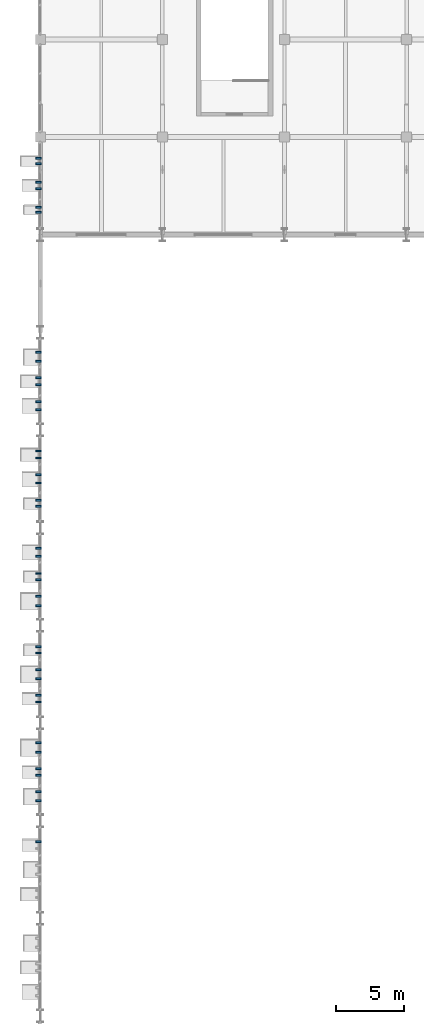
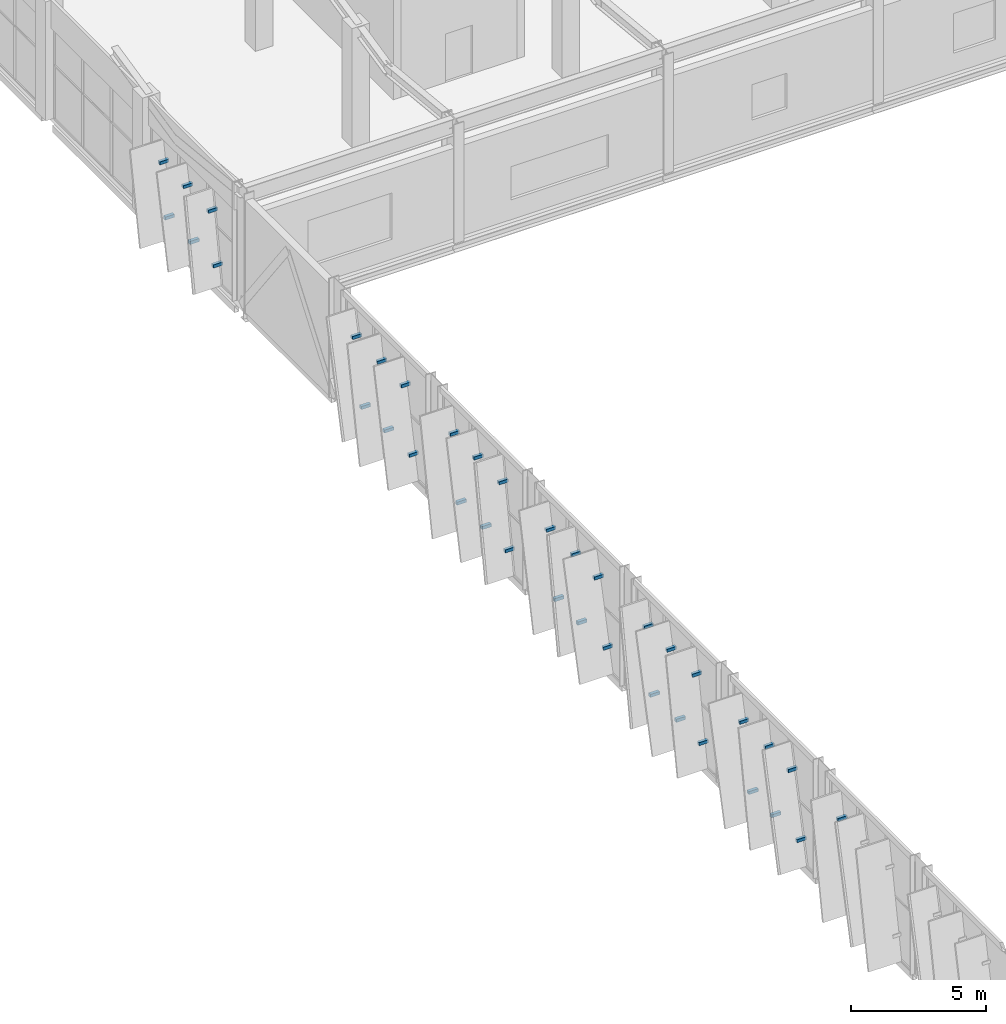
# One storey, part 149 of 189: 37 discrete accessories.
"""IFC4 building model written with IfcOpenShell, lengths in metres."""

from ifc_helpers import new_model, si_unit, direction, frame, origin, origin_2d, place, context, subcontext, project, spatial, rectangle, extrude, material, type_object, element, save


model = new_model("IFC4")

# Units and contexts
model_context = context("Model", 3, precision=1e-05, world=origin(), true_north=direction((0.0, 1.0)))
body_context = subcontext(model_context, "Body", "Model", "MODEL_VIEW")
ifc_project = project(units=[si_unit("LENGTHUNIT", "METRE"), si_unit("AREAUNIT", "SQUARE_METRE"), si_unit("VOLUMEUNIT", "CUBIC_METRE"), si_unit("PLANEANGLEUNIT", "RADIAN"), si_unit("MASSUNIT", "GRAM", prefix="KILO")], contexts=[model_context])

# Site, building, storey
site_placement = place(None, origin())
site = spatial("IfcSite", under=ifc_project, at=site_placement, CompositionType="ELEMENT")
building_placement = place(site_placement, origin())
building = spatial("IfcBuilding", under=site, at=building_placement, Name="Celestram Park Convention Centre", CompositionType="ELEMENT")
storey_placement = place(building_placement, frame((0.0, 0.0, 5.39990234375)))
storey = spatial("IfcBuildingStorey", under=building, at=storey_placement, Name="L01", CompositionType="ELEMENT", Elevation=5.39990234375)

# Discrete accessories
ifc_material = material(Name="Steel ASTM A500 Grade C", Category="steel")
discrete_accessory_type = type_object("IfcDiscreteAccessoryType", Name="ARC-BRK-OUT400", PredefinedType="BRACKET", material=ifc_material)
for number, where, z_axis, x_axis, name in (
    (1, (-0.14990234375, 109.662353515625, 0.849609375), (0.0, 0.0, 1.0), (-1.0, 0.0, 0.0), "Solar fin outrigger bracket BK-L01-0289"),
    (2, (-0.14990234375, 110.028564453125, 3.11083984375), (0.0, 0.0, 1.0), (-1.0, 0.0, 0.0), "Solar fin outrigger bracket BK-L01-0290"),
    (3, (-0.14990234375, 111.405517578125, 0.8603515625), (0.0, 0.0, 1.0), (-1.0, 0.0, 0.0), "Solar fin outrigger bracket BK-L01-0291"),
    (4, (-0.14990234375, 111.885498046875, 3.10009765625), (0.0, 0.0, 1.0), (-1.0, 0.0, 0.0), "Solar fin outrigger bracket BK-L01-0292"),
    (5, (-0.14990234375, 113.23876953125, 0.853515625), (0.0, 0.0, 1.0), (-1.0, 0.0, 0.0), "Solar fin outrigger bracket BK-L01-0293"),
    (6, (-0.14990234375, 113.652099609375, 3.1064453125), (0.0, 0.0, 1.0), (-1.0, 0.0, 0.0), "Solar fin outrigger bracket BK-L01-0294"),
    (7, (-0.14990234375, 63.24267578125, 3.884765625), (0.0, 0.0, 1.0), (-1.0, 0.0, 0.0), "Solar fin outrigger bracket BK-L01-0724"),
    (8, (-0.14990234375, 66.269775390625, 1.09375), (0.0, 0.0, 1.0), (-1.0, 0.0, 0.0), "Solar fin outrigger bracket BK-L01-0725"),
    (9, (-0.14990234375, 66.930419921875, 3.86669921875), (0.0, 0.0, 1.0), (-1.0, 0.0, 0.0), "Solar fin outrigger bracket BK-L01-0726"),
    (10, (-0.14990234375, 68.157470703125, 1.07568359375), (0.0, 0.0, 1.0), (-1.0, 0.0, 0.0), "Solar fin outrigger bracket BK-L01-0727"),
    (11, (-0.14990234375, 68.642578125, 3.884765625), (0.0, 0.0, 1.0), (-1.0, 0.0, 0.0), "Solar fin outrigger bracket BK-L01-0728"),
    (12, (-0.14990234375, 69.860107421875, 1.09619140625), (0.0, 0.0, 1.0), (-1.0, 0.0, 0.0), "Solar fin outrigger bracket BK-L01-0729"),
    (13, (-0.14990234375, 70.5400390625, 3.8642578125), (0.0, 0.0, 1.0), (-1.0, 0.0, 0.0), "Solar fin outrigger bracket BK-L01-0730"),
    (14, (-0.14990234375, 73.557373046875, 1.07568359375), (0.0, 0.0, 1.0), (-1.0, 0.0, 0.0), "Solar fin outrigger bracket BK-L01-0731"),
    (15, (-0.14990234375, 74.04248046875, 3.884765625), (0.0, 0.0, 1.0), (-1.0, 0.0, 0.0), "Solar fin outrigger bracket BK-L01-0732"),
    (16, (-0.14990234375, 75.260009765625, 1.09619140625), (0.0, 0.0, 1.0), (-1.0, 0.0, 0.0), "Solar fin outrigger bracket BK-L01-0733"),
    (17, (-0.14990234375, 75.93994140625, 3.8642578125), (0.0, 0.0, 1.0), (-1.0, 0.0, 0.0), "Solar fin outrigger bracket BK-L01-0734"),
    (18, (-0.14990234375, 77.172119140625, 1.0732421875), (0.0, 0.0, 1.0), (-1.0, 0.0, 0.0), "Solar fin outrigger bracket BK-L01-0735"),
    (19, (-0.14990234375, 77.6279296875, 3.88720703125), (0.0, 0.0, 1.0), (-1.0, 0.0, 0.0), "Solar fin outrigger bracket BK-L01-0736"),
    (20, (-0.14990234375, 80.659912109375, 1.09619140625), (0.0, 0.0, 1.0), (-1.0, 0.0, 0.0), "Solar fin outrigger bracket BK-L01-0737"),
    (21, (-0.14990234375, 81.340087890625, 3.8642578125), (0.0, 0.0, 1.0), (-1.0, 0.0, 0.0), "Solar fin outrigger bracket BK-L01-0738"),
    (22, (-0.14990234375, 82.572021484375, 1.0732421875), (0.0, 0.0, 1.0), (-1.0, 0.0, 0.0), "Solar fin outrigger bracket BK-L01-0739"),
    (23, (-0.14990234375, 83.02783203125, 3.88720703125), (0.0, 0.0, 1.0), (-1.0, 0.0, 0.0), "Solar fin outrigger bracket BK-L01-0740"),
    (24, (-0.14990234375, 84.30126953125, 1.08642578125), (0.0, 0.0, 1.0), (-1.0, 0.0, 0.0), "Solar fin outrigger bracket BK-L01-0741"),
    (25, (-0.14990234375, 84.898681640625, 3.87353515625), (0.0, 0.0, 1.0), (-1.0, 0.0, 0.0), "Solar fin outrigger bracket BK-L01-0742"),
    (26, (-0.14990234375, 87.97216796875, 1.0732421875), (0.0, 0.0, 1.0), (-1.0, 0.0, 0.0), "Solar fin outrigger bracket BK-L01-0743"),
    (27, (-0.14990234375, 88.427978515625, 3.88720703125), (0.0, 0.0, 1.0), (-1.0, 0.0, 0.0), "Solar fin outrigger bracket BK-L01-0744"),
    (28, (-0.14990234375, 89.701416015625, 1.08642578125), (0.0, 0.0, 1.0), (-1.0, 0.0, 0.0), "Solar fin outrigger bracket BK-L01-0745"),
    (29, (-0.14990234375, 90.298583984375, 3.87353515625), (0.0, 0.0, 1.0), (-1.0, 0.0, 0.0), "Solar fin outrigger bracket BK-L01-0746"),
    (30, (-0.14990234375, 91.542724609375, 1.078125), (0.0, 0.0, 1.0), (-1.0, 0.0, 0.0), "Solar fin outrigger bracket BK-L01-0747"),
    (31, (-0.14990234375, 92.057373046875, 3.8818359375), (0.0, 0.0, 1.0), (-1.0, 0.0, 0.0), "Solar fin outrigger bracket BK-L01-0748"),
    (32, (-0.14990234375, 95.101318359375, 1.08642578125), (0.0, 0.0, 1.0), (-1.0, 0.0, 0.0), "Solar fin outrigger bracket BK-L01-0749"),
    (33, (-0.14990234375, 95.69873046875, 3.87353515625), (0.0, 0.0, 1.0), (-1.0, 0.0, 0.0), "Solar fin outrigger bracket BK-L01-0750"),
    (34, (-0.14990234375, 96.942626953125, 1.078125), (0.0, 0.0, 1.0), (-1.0, 0.0, 0.0), "Solar fin outrigger bracket BK-L01-0751"),
    (35, (-0.14990234375, 97.457275390625, 3.8818359375), (0.0, 0.0, 1.0), (-1.0, 0.0, 0.0), "Solar fin outrigger bracket BK-L01-0752"),
    (36, (-0.14990234375, 98.669677734375, 1.09375), (0.0, 0.0, 1.0), (-1.0, 0.0, 0.0), "Solar fin outrigger bracket BK-L01-0753"),
    (37, (-0.14990234375, 99.330322265625, 3.86669921875), (0.0, 0.0, 1.0), (-1.0, 0.0, 0.0), "Solar fin outrigger bracket BK-L01-0754"),
):
    element("IfcDiscreteAccessory", number, at=place(storey_placement, frame(where, z_axis=z_axis, x_axis=x_axis)), inside=storey, type_object=discrete_accessory_type, Name=name, PredefinedType="BRACKET", context=body_context, shape_type="SweptSolid", body=[
        extrude(rectangle(XDim=0.39990234375, YDim=0.139892578125, at=origin_2d()), origin(), (0.0, 0.0, 1.0), 0.139892578125),
    ])

save(model, "model.ifc")
